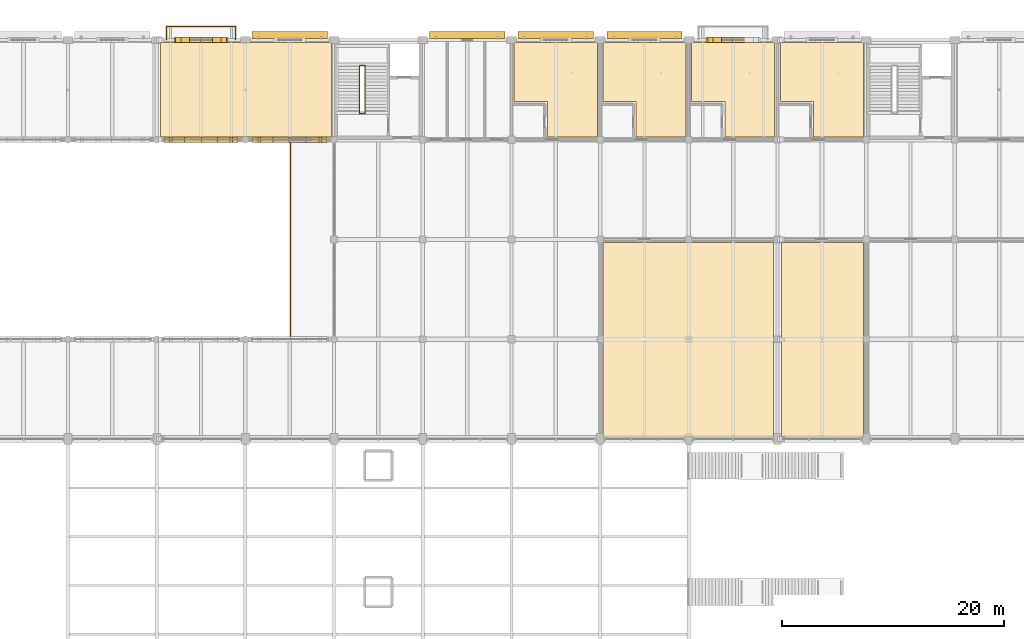
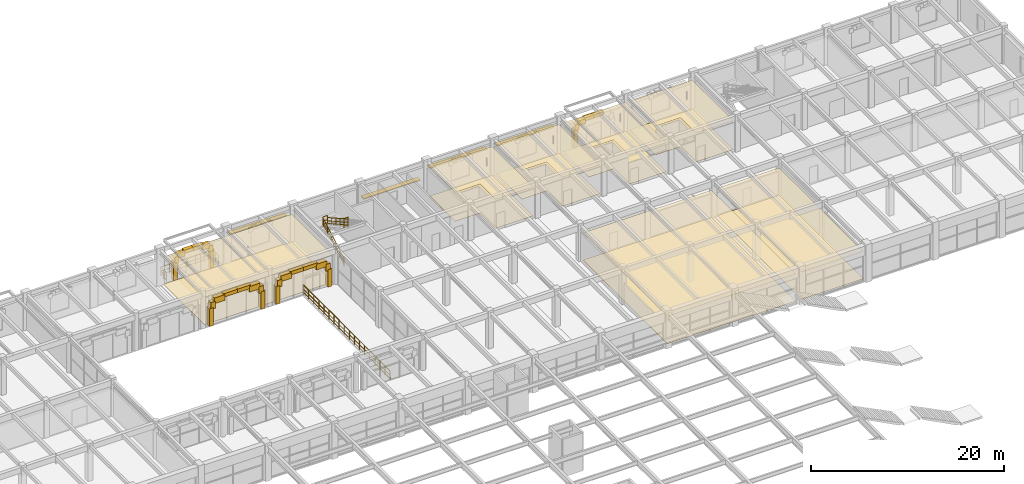
# One storey, part 140 of 144: 43 coverings, 6 railings, 4 shading devices.
"""IFC4 building model written with IfcOpenShell, lengths in metres."""

from ifc_helpers import new_model, si_unit, direction, frame, origin, origin_2d, place, context, subcontext, project, spatial, polyline, rectangle, circle, outline, extrude, material, layer, layer_set, type_object, element, save


model = new_model("IFC4")

# Units and contexts
model_context = context("Model", 3, precision=1e-05, world=origin(), true_north=direction((0.0, 1.0)))
body_context = subcontext(model_context, "Body", "Model", "MODEL_VIEW")
ifc_project = project(units=[si_unit("LENGTHUNIT", "METRE"), si_unit("AREAUNIT", "SQUARE_METRE"), si_unit("VOLUMEUNIT", "CUBIC_METRE"), si_unit("PLANEANGLEUNIT", "RADIAN"), si_unit("MASSUNIT", "GRAM", prefix="KILO")], contexts=[model_context])

# Site, building, storey
site_placement = place(None, origin())
site = spatial("IfcSite", under=ifc_project, at=site_placement, CompositionType="ELEMENT")
building_placement = place(site_placement, origin())
building = spatial("IfcBuilding", under=site, at=building_placement, Name="Varnabhumi Central Station", CompositionType="ELEMENT")
storey_placement = place(building_placement, frame((0.0, 0.0, 4.800048828125)))
storey = spatial("IfcBuildingStorey", under=building, at=storey_placement, Name="L01", CompositionType="ELEMENT", Elevation=4.800048828125)

# Coverings
ifc_material_1 = material(Name="Mineral-fibre acoustic tile")
ifc_layer_1 = layer(ifc_material_1, 0.02490234375, Name="Mineral-fibre acoustic tile")
ifc_layer_set_1 = layer_set([ifc_layer_1], Name="Mineral-fibre acoustic tile")
covering_type_1 = type_object("IfcCoveringType", Name="COV-CEIL-ACOUSTIC", PredefinedType="CEILING", material=ifc_layer_set_1)
covering_1_placement = place(storey_placement, frame((0.0, 0.0, 3.469970703125)))
element("IfcCovering", 1, at=covering_1_placement, inside=storey, type_object=covering_type_1, Name="Transit Reading and Quiet Lounge Acoustic Ceiling", PredefinedType="CEILING", context=body_context, shape_type="SweptSolid", body=[
    extrude(outline(polyline([(64.35009765625, 107.25), (79.75, 107.25), (79.75, 115.75), (64.35009765625, 115.75), (64.35009765625, 107.25)])), origin(), (0.0, 0.0, 1.0), 0.02490234375),
])
covering_2_placement = place(storey_placement, frame((0.0, 0.0, 3.669921875)))
element("IfcCovering", 2, at=covering_2_placement, inside=storey, type_object=covering_type_1, Name="Passenger Retiring Room 101 Acoustic Ceiling", PredefinedType="CEILING", context=body_context, shape_type="SweptSolid", body=[
    extrude(outline(polyline([(96.25, 110.449951171875), (99.25, 110.449951171875), (99.25, 107.25), (103.75, 107.25), (103.75, 115.75), (96.25, 115.75), (96.25, 110.449951171875)])), origin(), (0.0, 0.0, 1.0), 0.025146484375),
])
covering_3_placement = place(storey_placement, frame((0.0, 0.0, 3.669921875)))
element("IfcCovering", 3, at=covering_3_placement, inside=storey, type_object=covering_type_1, Name="Passenger Retiring Room 102 Acoustic Ceiling", PredefinedType="CEILING", context=body_context, shape_type="SweptSolid", body=[
    extrude(outline(polyline([(104.25, 110.449951171875), (107.25, 110.449951171875), (107.25, 107.25), (111.75, 107.25), (111.75, 115.75), (104.25, 115.75), (104.25, 110.449951171875)])), origin(), (0.0, 0.0, 1.0), 0.025146484375),
])
covering_4_placement = place(storey_placement, frame((0.0, 0.0, 3.669921875)))
element("IfcCovering", 4, at=covering_4_placement, inside=storey, type_object=covering_type_1, Name="Passenger Retiring Room 103 Acoustic Ceiling", PredefinedType="CEILING", context=body_context, shape_type="SweptSolid", body=[
    extrude(outline(polyline([(112.25, 110.449951171875), (115.25, 110.449951171875), (115.25, 107.25), (119.75, 107.25), (119.75, 115.75), (112.25, 115.75), (112.25, 110.449951171875)])), origin(), (0.0, 0.0, 1.0), 0.025146484375),
])
covering_5_placement = place(storey_placement, frame((0.0, 0.0, 3.669921875)))
element("IfcCovering", 5, at=covering_5_placement, inside=storey, type_object=covering_type_1, Name="Passenger Retiring Room 104 Acoustic Ceiling", PredefinedType="CEILING", context=body_context, shape_type="SweptSolid", body=[
    extrude(outline(polyline([(120.25, 110.449951171875), (123.25, 110.449951171875), (123.25, 107.25), (127.75, 107.25), (127.75, 115.75), (120.25, 115.75), (120.25, 110.449951171875)])), origin(), (0.0, 0.0, 1.0), 0.025146484375),
])
covering_6_placement = place(storey_placement, frame((0.0, 0.0, 3.469970703125)))
element("IfcCovering", 6, at=covering_6_placement, inside=storey, type_object=covering_type_1, Name="Ladies' Transit Dormitory Acoustic Ceiling", PredefinedType="CEILING", context=body_context, shape_type="SweptSolid", body=[
    extrude(outline(polyline([(104.25, 80.25), (119.64990234375, 80.25), (119.64990234375, 97.75), (104.25, 97.75), (104.25, 80.25)])), origin(), (0.0, 0.0, 1.0), 0.02490234375),
])
covering_7_placement = place(storey_placement, frame((0.0, 0.0, 3.469970703125)))
element("IfcCovering", 7, at=covering_7_placement, inside=storey, type_object=covering_type_1, Name="Ladies' Transit Dormitory Acoustic Ceiling", PredefinedType="CEILING", context=body_context, shape_type="SweptSolid", body=[
    extrude(outline(polyline([(120.35009765625, 80.25), (127.75, 80.25), (127.75, 97.75), (120.35009765625, 97.75), (120.35009765625, 80.25)])), origin(), (0.0, 0.0, 1.0), 0.02490234375),
])
ifc_material_2 = material(Name="Vitrified granite stone flooring", Category="masonry")
ifc_layer_2 = layer(ifc_material_2, 0.030029296875, Name="Vitrified granite stone flooring", Category="masonry")
ifc_layer_set_2 = layer_set([ifc_layer_2], Name="Vitrified granite stone flooring")
covering_type_2 = type_object("IfcCoveringType", Name="COV-FLOR-GRANITE", PredefinedType="FLOORING", material=ifc_layer_set_2)
covering_8_placement = place(storey_placement, origin())
element("IfcCovering", 8, at=covering_8_placement, inside=storey, type_object=covering_type_2, Name="Transit Reading and Quiet Lounge Granite Flooring", PredefinedType="FLOORING", context=body_context, shape_type="SweptSolid", body=[
    extrude(outline(polyline([(64.35009765625, 107.25), (79.75, 107.25), (79.75, 115.75), (64.35009765625, 115.75), (64.35009765625, 107.25)])), origin(), (0.0, 0.0, 1.0), 0.030029296875),
])
covering_9_placement = place(storey_placement, origin())
element("IfcCovering", 9, at=covering_9_placement, inside=storey, type_object=covering_type_2, Name="Passenger Retiring Room 101 Granite Flooring", PredefinedType="FLOORING", context=body_context, shape_type="SweptSolid", body=[
    extrude(outline(polyline([(96.25, 110.449951171875), (99.25, 110.449951171875), (99.25, 107.25), (103.75, 107.25), (103.75, 115.75), (96.25, 115.75), (96.25, 110.449951171875)])), origin(), (0.0, 0.0, 1.0), 0.030029296875),
])
covering_10_placement = place(storey_placement, origin())
element("IfcCovering", 10, at=covering_10_placement, inside=storey, type_object=covering_type_2, Name="Passenger Retiring Room 102 Granite Flooring", PredefinedType="FLOORING", context=body_context, shape_type="SweptSolid", body=[
    extrude(outline(polyline([(104.25, 110.449951171875), (107.25, 110.449951171875), (107.25, 107.25), (111.75, 107.25), (111.75, 115.75), (104.25, 115.75), (104.25, 110.449951171875)])), origin(), (0.0, 0.0, 1.0), 0.030029296875),
])
covering_11_placement = place(storey_placement, origin())
element("IfcCovering", 11, at=covering_11_placement, inside=storey, type_object=covering_type_2, Name="Passenger Retiring Room 103 Granite Flooring", PredefinedType="FLOORING", context=body_context, shape_type="SweptSolid", body=[
    extrude(outline(polyline([(112.25, 110.449951171875), (115.25, 110.449951171875), (115.25, 107.25), (119.75, 107.25), (119.75, 115.75), (112.25, 115.75), (112.25, 110.449951171875)])), origin(), (0.0, 0.0, 1.0), 0.030029296875),
])
covering_12_placement = place(storey_placement, origin())
element("IfcCovering", 12, at=covering_12_placement, inside=storey, type_object=covering_type_2, Name="Passenger Retiring Room 104 Granite Flooring", PredefinedType="FLOORING", context=body_context, shape_type="SweptSolid", body=[
    extrude(outline(polyline([(120.25, 110.449951171875), (123.25, 110.449951171875), (123.25, 107.25), (127.75, 107.25), (127.75, 115.75), (120.25, 115.75), (120.25, 110.449951171875)])), origin(), (0.0, 0.0, 1.0), 0.030029296875),
])
covering_13_placement = place(storey_placement, origin())
element("IfcCovering", 13, at=covering_13_placement, inside=storey, type_object=covering_type_2, Name="Ladies' Transit Dormitory Granite Flooring", PredefinedType="FLOORING", context=body_context, shape_type="SweptSolid", body=[
    extrude(outline(polyline([(104.25, 80.25), (119.64990234375, 80.25), (119.64990234375, 97.75), (104.25, 97.75), (104.25, 80.25)])), origin(), (0.0, 0.0, 1.0), 0.030029296875),
])
covering_14_placement = place(storey_placement, origin())
element("IfcCovering", 14, at=covering_14_placement, inside=storey, type_object=covering_type_2, Name="Ladies' Transit Dormitory Granite Flooring", PredefinedType="FLOORING", context=body_context, shape_type="SweptSolid", body=[
    extrude(outline(polyline([(120.35009765625, 80.25), (127.75, 80.25), (127.75, 97.75), (120.35009765625, 97.75), (120.35009765625, 80.25)])), origin(), (0.0, 0.0, 1.0), 0.030029296875),
])
ifc_material_3 = material(Name="Terracotta clay Mission barrel tile", Category="masonry")
ifc_layer_3 = layer(ifc_material_3, 0.02001953125, Name="Terracotta clay Mission barrel tile", Category="masonry")
ifc_layer_set_3 = layer_set([ifc_layer_3], Name="Terracotta clay Mission barrel tile")
covering_type_3 = type_object("IfcCoveringType", Name="COV-WALL-FAIENCE", PredefinedType="CLADDING", material=ifc_layer_set_3)
covering_15_placement = place(storey_placement, frame((65.947509765625, 116.0, 2.159912109375), z_axis=(0.0, 0.0, 1.0), x_axis=(1.0, 0.0, 0.0)))
element("IfcCovering", 15, at=covering_15_placement, inside=storey, type_object=covering_type_3, Name="Balcony Arch Portal L01-9 Stone Voussoir 1", PredefinedType="CLADDING", context=body_context, shape_type="SweptSolid", body=[
    extrude(rectangle(XDim=0.469970703125, YDim=0.47998046875, at=origin_2d()), origin(), (0.0, 0.0, 1.0), 0.7548828125),
])
covering_16_placement = place(storey_placement, frame((66.49755859375, 116.0, 2.635009765625), z_axis=(0.0, 0.0, 1.0), x_axis=(1.0, 0.0, 0.0)))
element("IfcCovering", 16, at=covering_16_placement, inside=storey, type_object=covering_type_3, Name="Balcony Arch Portal L01-9 Stone Voussoir 2", PredefinedType="CLADDING", context=body_context, shape_type="SweptSolid", body=[
    extrude(rectangle(XDim=0.925048828125, YDim=0.47998046875, at=origin_2d()), origin(), (0.0, 0.0, 1.0), 0.6279296875),
])
for number, where, z_axis, x_axis, name in (
    (17, (67.449951171875, 116.0, 2.98291015625), (0.0, 0.0, 1.0), (1.0, 0.0, 0.0), "Balcony Arch Portal L01-9 Stone Voussoir 3"),
    (18, (68.550048828125, 116.0, 2.98291015625), (0.0, 0.0, 1.0), (1.0, 0.0, 0.0), "Balcony Arch Portal L01-9 Stone Voussoir 4"),
):
    element("IfcCovering", number, at=place(storey_placement, frame(where, z_axis=z_axis, x_axis=x_axis)), inside=storey, type_object=covering_type_3, Name=name, PredefinedType="CLADDING", context=body_context, shape_type="SweptSolid", body=[
        extrude(rectangle(XDim=1.219970703125, YDim=0.47998046875, at=origin_2d()), origin(), (0.0, 0.0, 1.0), 0.406982421875),
    ])
covering_17_placement = place(storey_placement, frame((69.50244140625, 116.0, 2.635009765625), z_axis=(0.0, 0.0, 1.0), x_axis=(1.0, 0.0, 0.0)))
element("IfcCovering", 19, at=covering_17_placement, inside=storey, type_object=covering_type_3, Name="Balcony Arch Portal L01-9 Stone Voussoir 5", PredefinedType="CLADDING", context=body_context, shape_type="SweptSolid", body=[
    extrude(rectangle(XDim=0.925048828125, YDim=0.47998046875, at=origin_2d()), origin(), (0.0, 0.0, 1.0), 0.6279296875),
])
covering_18_placement = place(storey_placement, frame((70.052490234375, 116.0, 2.159912109375), z_axis=(0.0, 0.0, 1.0), x_axis=(1.0, 0.0, 0.0)))
element("IfcCovering", 20, at=covering_18_placement, inside=storey, type_object=covering_type_3, Name="Balcony Arch Portal L01-9 Stone Voussoir 6", PredefinedType="CLADDING", context=body_context, shape_type="SweptSolid", body=[
    extrude(rectangle(XDim=0.469970703125, YDim=0.47998046875, at=origin_2d()), origin(), (0.0, 0.0, 1.0), 0.7548828125),
])
for number, where, z_axis, x_axis, name in (
    (21, (65.800048828125, 116.0, -0.02001953125), (0.0, 0.0, 1.0), (1.0, 0.0, 0.0), "Balcony Arch Portal L01-9 Classical Pilaster 1"),
    (22, (70.199951171875, 116.0, -0.02001953125), (0.0, 0.0, 1.0), (1.0, 0.0, 0.0), "Balcony Arch Portal L01-9 Classical Pilaster 2"),
):
    element("IfcCovering", number, at=place(storey_placement, frame(where, z_axis=z_axis, x_axis=x_axis)), inside=storey, type_object=covering_type_3, Name=name, PredefinedType="CLADDING", context=body_context, shape_type="SweptSolid", body=[
        extrude(rectangle(XDim=0.47998046875, YDim=0.47998046875, at=origin_2d()), origin(), (0.0, 0.0, 1.0), 2.340087890625),
    ])
covering_19_placement = place(storey_placement, frame((113.947509765625, 116.0, 2.159912109375), z_axis=(0.0, 0.0, 1.0), x_axis=(1.0, 0.0, 0.0)))
element("IfcCovering", 23, at=covering_19_placement, inside=storey, type_object=covering_type_3, Name="Balcony Arch Portal L01-15 Stone Voussoir 1", PredefinedType="CLADDING", context=body_context, shape_type="SweptSolid", body=[
    extrude(rectangle(XDim=0.469970703125, YDim=0.47998046875, at=origin_2d()), origin(), (0.0, 0.0, 1.0), 0.7548828125),
])
covering_20_placement = place(storey_placement, frame((114.49755859375, 116.0, 2.635009765625), z_axis=(0.0, 0.0, 1.0), x_axis=(1.0, 0.0, 0.0)))
element("IfcCovering", 24, at=covering_20_placement, inside=storey, type_object=covering_type_3, Name="Balcony Arch Portal L01-15 Stone Voussoir 2", PredefinedType="CLADDING", context=body_context, shape_type="SweptSolid", body=[
    extrude(rectangle(XDim=0.925048828125, YDim=0.47998046875, at=origin_2d()), origin(), (0.0, 0.0, 1.0), 0.6279296875),
])
for number, where, z_axis, x_axis, name in (
    (25, (115.449951171875, 116.0, 2.98291015625), (0.0, 0.0, 1.0), (1.0, 0.0, 0.0), "Balcony Arch Portal L01-15 Stone Voussoir 3"),
    (26, (116.550048828125, 116.0, 2.98291015625), (0.0, 0.0, 1.0), (1.0, 0.0, 0.0), "Balcony Arch Portal L01-15 Stone Voussoir 4"),
):
    element("IfcCovering", number, at=place(storey_placement, frame(where, z_axis=z_axis, x_axis=x_axis)), inside=storey, type_object=covering_type_3, Name=name, PredefinedType="CLADDING", context=body_context, shape_type="SweptSolid", body=[
        extrude(rectangle(XDim=1.219970703125, YDim=0.47998046875, at=origin_2d()), origin(), (0.0, 0.0, 1.0), 0.406982421875),
    ])
covering_21_placement = place(storey_placement, frame((113.800048828125, 116.0, -0.02001953125), z_axis=(0.0, 0.0, 1.0), x_axis=(1.0, 0.0, 0.0)))
element("IfcCovering", 27, at=covering_21_placement, inside=storey, type_object=covering_type_3, Name="Balcony Arch Portal L01-15 Classical Pilaster 1", PredefinedType="CLADDING", context=body_context, shape_type="SweptSolid", body=[
    extrude(rectangle(XDim=0.47998046875, YDim=0.47998046875, at=origin_2d()), origin(), (0.0, 0.0, 1.0), 2.340087890625),
])
covering_22_placement = place(storey_placement, frame((65.107421875, 107.0, 2.06005859375), z_axis=(0.0, 0.0, 1.0), x_axis=(1.0, 0.0, 0.0)))
element("IfcCovering", 28, at=covering_22_placement, inside=storey, type_object=covering_type_3, Name="North Patio Cloister Arch L01-N3 Stone Voussoir 1", PredefinedType="CLADDING", context=body_context, shape_type="SweptSolid", body=[
    extrude(rectangle(XDim=0.534912109375, YDim=0.47998046875, at=origin_2d()), origin(), (0.0, 0.0, 1.0), 0.8798828125),
])
covering_23_placement = place(storey_placement, frame((65.882568359375, 107.0, 2.66015625), z_axis=(0.0, 0.0, 1.0), x_axis=(1.0, 0.0, 0.0)))
element("IfcCovering", 29, at=covering_23_placement, inside=storey, type_object=covering_type_3, Name="North Patio Cloister Arch L01-N3 Stone Voussoir 2", PredefinedType="CLADDING", context=body_context, shape_type="SweptSolid", body=[
    extrude(rectangle(XDim=1.2548828125, YDim=0.47998046875, at=origin_2d()), origin(), (0.0, 0.0, 1.0), 0.718994140625),
])
for number, where, z_axis, x_axis, name in (
    (30, (67.22509765625, 107.0, 3.098876953125), (0.0, 0.0, 1.0), (1.0, 0.0, 0.0), "North Patio Cloister Arch L01-N3 Stone Voussoir 3"),
    (31, (68.77490234375, 107.0, 3.098876953125), (0.0, 0.0, 1.0), (1.0, 0.0, 0.0), "North Patio Cloister Arch L01-N3 Stone Voussoir 4"),
):
    element("IfcCovering", number, at=place(storey_placement, frame(where, z_axis=z_axis, x_axis=x_axis)), inside=storey, type_object=covering_type_3, Name=name, PredefinedType="CLADDING", context=body_context, shape_type="SweptSolid", body=[
        extrude(rectangle(XDim=1.669921875, YDim=0.47998046875, at=origin_2d()), origin(), (0.0, 0.0, 1.0), 0.44091796875),
    ])
covering_24_placement = place(storey_placement, frame((70.117431640625, 107.0, 2.66015625), z_axis=(0.0, 0.0, 1.0), x_axis=(1.0, 0.0, 0.0)))
element("IfcCovering", 32, at=covering_24_placement, inside=storey, type_object=covering_type_3, Name="North Patio Cloister Arch L01-N3 Stone Voussoir 5", PredefinedType="CLADDING", context=body_context, shape_type="SweptSolid", body=[
    extrude(rectangle(XDim=1.2548828125, YDim=0.47998046875, at=origin_2d()), origin(), (0.0, 0.0, 1.0), 0.718994140625),
])
covering_25_placement = place(storey_placement, frame((70.892578125, 107.0, 2.06005859375), z_axis=(0.0, 0.0, 1.0), x_axis=(1.0, 0.0, 0.0)))
element("IfcCovering", 33, at=covering_25_placement, inside=storey, type_object=covering_type_3, Name="North Patio Cloister Arch L01-N3 Stone Voussoir 6", PredefinedType="CLADDING", context=body_context, shape_type="SweptSolid", body=[
    extrude(rectangle(XDim=0.534912109375, YDim=0.47998046875, at=origin_2d()), origin(), (0.0, 0.0, 1.0), 0.8798828125),
])
for number, where, z_axis, x_axis, name in (
    (34, (64.89990234375, 107.0, -0.02001953125), (0.0, 0.0, 1.0), (1.0, 0.0, 0.0), "North Patio Cloister Arch L01-N3 Classical Pilaster 1"),
    (35, (71.10009765625, 107.0, -0.02001953125), (0.0, 0.0, 1.0), (1.0, 0.0, 0.0), "North Patio Cloister Arch L01-N3 Classical Pilaster 2"),
):
    element("IfcCovering", number, at=place(storey_placement, frame(where, z_axis=z_axis, x_axis=x_axis)), inside=storey, type_object=covering_type_3, Name=name, PredefinedType="CLADDING", context=body_context, shape_type="SweptSolid", body=[
        extrude(rectangle(XDim=0.47998046875, YDim=0.47998046875, at=origin_2d()), origin(), (0.0, 0.0, 1.0), 2.239990234375),
    ])
covering_26_placement = place(storey_placement, frame((73.107421875, 107.0, 2.06005859375), z_axis=(0.0, 0.0, 1.0), x_axis=(1.0, 0.0, 0.0)))
element("IfcCovering", 36, at=covering_26_placement, inside=storey, type_object=covering_type_3, Name="North Patio Cloister Arch L01-N4 Stone Voussoir 1", PredefinedType="CLADDING", context=body_context, shape_type="SweptSolid", body=[
    extrude(rectangle(XDim=0.534912109375, YDim=0.47998046875, at=origin_2d()), origin(), (0.0, 0.0, 1.0), 0.8798828125),
])
covering_27_placement = place(storey_placement, frame((73.882568359375, 107.0, 2.66015625), z_axis=(0.0, 0.0, 1.0), x_axis=(1.0, 0.0, 0.0)))
element("IfcCovering", 37, at=covering_27_placement, inside=storey, type_object=covering_type_3, Name="North Patio Cloister Arch L01-N4 Stone Voussoir 2", PredefinedType="CLADDING", context=body_context, shape_type="SweptSolid", body=[
    extrude(rectangle(XDim=1.2548828125, YDim=0.47998046875, at=origin_2d()), origin(), (0.0, 0.0, 1.0), 0.718994140625),
])
for number, where, z_axis, x_axis, name in (
    (38, (75.22509765625, 107.0, 3.098876953125), (0.0, 0.0, 1.0), (1.0, 0.0, 0.0), "North Patio Cloister Arch L01-N4 Stone Voussoir 3"),
    (39, (76.77490234375, 107.0, 3.098876953125), (0.0, 0.0, 1.0), (1.0, 0.0, 0.0), "North Patio Cloister Arch L01-N4 Stone Voussoir 4"),
):
    element("IfcCovering", number, at=place(storey_placement, frame(where, z_axis=z_axis, x_axis=x_axis)), inside=storey, type_object=covering_type_3, Name=name, PredefinedType="CLADDING", context=body_context, shape_type="SweptSolid", body=[
        extrude(rectangle(XDim=1.669921875, YDim=0.47998046875, at=origin_2d()), origin(), (0.0, 0.0, 1.0), 0.44091796875),
    ])
covering_28_placement = place(storey_placement, frame((78.117431640625, 107.0, 2.66015625), z_axis=(0.0, 0.0, 1.0), x_axis=(1.0, 0.0, 0.0)))
element("IfcCovering", 40, at=covering_28_placement, inside=storey, type_object=covering_type_3, Name="North Patio Cloister Arch L01-N4 Stone Voussoir 5", PredefinedType="CLADDING", context=body_context, shape_type="SweptSolid", body=[
    extrude(rectangle(XDim=1.2548828125, YDim=0.47998046875, at=origin_2d()), origin(), (0.0, 0.0, 1.0), 0.718994140625),
])
covering_29_placement = place(storey_placement, frame((78.892578125, 107.0, 2.06005859375), z_axis=(0.0, 0.0, 1.0), x_axis=(1.0, 0.0, 0.0)))
element("IfcCovering", 41, at=covering_29_placement, inside=storey, type_object=covering_type_3, Name="North Patio Cloister Arch L01-N4 Stone Voussoir 6", PredefinedType="CLADDING", context=body_context, shape_type="SweptSolid", body=[
    extrude(rectangle(XDim=0.534912109375, YDim=0.47998046875, at=origin_2d()), origin(), (0.0, 0.0, 1.0), 0.8798828125),
])
for number, where, z_axis, x_axis, name in (
    (42, (72.89990234375, 107.0, -0.02001953125), (0.0, 0.0, 1.0), (1.0, 0.0, 0.0), "North Patio Cloister Arch L01-N4 Classical Pilaster 1"),
    (43, (79.10009765625, 107.0, -0.02001953125), (0.0, 0.0, 1.0), (1.0, 0.0, 0.0), "North Patio Cloister Arch L01-N4 Classical Pilaster 2"),
):
    element("IfcCovering", number, at=place(storey_placement, frame(where, z_axis=z_axis, x_axis=x_axis)), inside=storey, type_object=covering_type_3, Name=name, PredefinedType="CLADDING", context=body_context, shape_type="SweptSolid", body=[
        extrude(rectangle(XDim=0.47998046875, YDim=0.47998046875, at=origin_2d()), origin(), (0.0, 0.0, 1.0), 2.239990234375),
    ])

# Railings
ifc_material_4 = material(Name="Stainless steel Grade 316", Category="steel")
railing_type_1 = type_object("IfcRailingType", Name="RAIL-BALUST-1150", PredefinedType="BALUSTRADE", material=ifc_material_4)
railing_1_placement = place(storey_placement, frame((64.8798828125, 116.050048828125, 0.0)))
element("IfcRailing", 44, at=railing_1_placement, inside=storey, type_object=railing_type_1, Name="Azotea Perimeter Balustrade L01-7", PredefinedType="BALUSTRADE", context=body_context, shape_type="SweptSolid", body=[
    extrude(circle(Radius=0.02392578125, at=origin_2d()), frame((0.0, 0.0, 1.1259765625), z_axis=(0.0, 1.0, 0.0), x_axis=(-1.0, 0.0, 0.0)), (0.0, 0.0, 1.0), 1.169921875),
    extrude(circle(Radius=0.01416015625, at=origin_2d()), frame((0.0, 0.0, 0.597900390625), z_axis=(0.0, 1.0, 0.0), x_axis=(-1.0, 0.0, 0.0)), (0.0, 0.0, 1.0), 1.169921875),
    extrude(circle(Radius=0.01416015625, at=origin_2d()), frame((0.0, 0.0, 0.18408203125), z_axis=(0.0, 1.0, 0.0), x_axis=(-1.0, 0.0, 0.0)), (0.0, 0.0, 1.0), 1.169921875),
    extrude(circle(Radius=0.02392578125, at=origin_2d()), frame((0.0, 1.169921875, 1.1259765625), z_axis=(1.0, 0.0, 0.0), x_axis=(0.0, 1.0, 0.0)), (0.0, 0.0, 1.0), 6.240234375),
    extrude(circle(Radius=0.01416015625, at=origin_2d()), frame((0.0, 1.169921875, 0.597900390625), z_axis=(1.0, 0.0, 0.0), x_axis=(0.0, 1.0, 0.0)), (0.0, 0.0, 1.0), 6.240234375),
    extrude(circle(Radius=0.01416015625, at=origin_2d()), frame((0.0, 1.169921875, 0.18408203125), z_axis=(1.0, 0.0, 0.0), x_axis=(0.0, 1.0, 0.0)), (0.0, 0.0, 1.0), 6.240234375),
    extrude(circle(Radius=0.02392578125, at=origin_2d()), frame((6.240234375, 1.169921875, 1.1259765625), z_axis=(0.0, -1.0, 0.0), x_axis=(1.0, 0.0, 0.0)), (0.0, 0.0, 1.0), 1.169921875),
    extrude(circle(Radius=0.01416015625, at=origin_2d()), frame((6.240234375, 1.169921875, 0.597900390625), z_axis=(0.0, -1.0, 0.0), x_axis=(1.0, 0.0, 0.0)), (0.0, 0.0, 1.0), 1.169921875),
    extrude(circle(Radius=0.01416015625, at=origin_2d()), frame((6.240234375, 1.169921875, 0.18408203125), z_axis=(0.0, -1.0, 0.0), x_axis=(1.0, 0.0, 0.0)), (0.0, 0.0, 1.0), 1.169921875),
    extrude(circle(Radius=0.02099609375, at=origin_2d()), origin(), (0.0, 0.0, 1.0), 1.101806640625),
    extrude(circle(Radius=0.02099609375, at=origin_2d()), frame((0.0, 0.5849609375, 0.0)), (0.0, 0.0, 1.0), 1.101806640625),
    extrude(circle(Radius=0.02099609375, at=origin_2d()), frame((0.0, 1.169921875, 0.0)), (0.0, 0.0, 1.0), 1.101806640625),
    extrude(circle(Radius=0.02099609375, at=origin_2d()), frame((1.0400390625, 1.169921875, 0.0)), (0.0, 0.0, 1.0), 1.101806640625),
    extrude(circle(Radius=0.02099609375, at=origin_2d()), frame((2.080078125, 1.169921875, 0.0)), (0.0, 0.0, 1.0), 1.101806640625),
    extrude(circle(Radius=0.02099609375, at=origin_2d()), frame((3.1201171875, 1.169921875, 0.0)), (0.0, 0.0, 1.0), 1.101806640625),
    extrude(circle(Radius=0.02099609375, at=origin_2d()), frame((4.16015625, 1.169921875, 0.0)), (0.0, 0.0, 1.0), 1.101806640625),
    extrude(circle(Radius=0.02099609375, at=origin_2d()), frame((5.2001953125, 1.169921875, 0.0)), (0.0, 0.0, 1.0), 1.101806640625),
    extrude(circle(Radius=0.02099609375, at=origin_2d()), frame((6.240234375, 1.169921875, 0.0)), (0.0, 0.0, 1.0), 1.101806640625),
    extrude(circle(Radius=0.02099609375, at=origin_2d()), frame((6.240234375, 0.5849609375, 0.0)), (0.0, 0.0, 1.0), 1.101806640625),
    extrude(circle(Radius=0.02099609375, at=origin_2d()), frame((6.240234375, 0.0, 0.0)), (0.0, 0.0, 1.0), 1.101806640625),
])
railing_2_placement = place(storey_placement, frame((76.080078125, 89.02001953125, 0.0)))
element("IfcRailing", 45, at=railing_2_placement, inside=storey, type_object=railing_type_1, Name="North Patio Courtyard Balustrade L01", PredefinedType="BALUSTRADE", context=body_context, shape_type="SweptSolid", body=[
    extrude(circle(Radius=0.02392578125, at=origin_2d()), frame((0.0, 0.0, 1.1259765625), z_axis=(0.0, 1.0, 0.0), x_axis=(-1.0, 0.0, 0.0)), (0.0, 0.0, 1.0), 17.9599609375),
    extrude(circle(Radius=0.01416015625, at=origin_2d()), frame((0.0, 0.0, 0.597900390625), z_axis=(0.0, 1.0, 0.0), x_axis=(-1.0, 0.0, 0.0)), (0.0, 0.0, 1.0), 17.9599609375),
    extrude(circle(Radius=0.01416015625, at=origin_2d()), frame((0.0, 0.0, 0.18408203125), z_axis=(0.0, 1.0, 0.0), x_axis=(-1.0, 0.0, 0.0)), (0.0, 0.0, 1.0), 17.9599609375),
    extrude(circle(Radius=0.02099609375, at=origin_2d()), origin(), (0.0, 0.0, 1.0), 1.101806640625),
    extrude(circle(Radius=0.02099609375, at=origin_2d()), frame((0.0, 1.056396484375, 0.0)), (0.0, 0.0, 1.0), 1.101806640625),
    extrude(circle(Radius=0.02099609375, at=origin_2d()), frame((0.0, 2.113037109375, 0.0)), (0.0, 0.0, 1.0), 1.101806640625),
    extrude(circle(Radius=0.02099609375, at=origin_2d()), frame((0.0, 3.16943359375, 0.0)), (0.0, 0.0, 1.0), 1.101806640625),
    extrude(circle(Radius=0.02099609375, at=origin_2d()), frame((0.0, 4.225830078125, 0.0)), (0.0, 0.0, 1.0), 1.101806640625),
    extrude(circle(Radius=0.02099609375, at=origin_2d()), frame((0.0, 5.2822265625, 0.0)), (0.0, 0.0, 1.0), 1.101806640625),
    extrude(circle(Radius=0.02099609375, at=origin_2d()), frame((0.0, 6.3388671875, 0.0)), (0.0, 0.0, 1.0), 1.101806640625),
    extrude(circle(Radius=0.02099609375, at=origin_2d()), frame((0.0, 7.395263671875, 0.0)), (0.0, 0.0, 1.0), 1.101806640625),
    extrude(circle(Radius=0.02099609375, at=origin_2d()), frame((0.0, 8.45166015625, 0.0)), (0.0, 0.0, 1.0), 1.101806640625),
    extrude(circle(Radius=0.02099609375, at=origin_2d()), frame((0.0, 9.50830078125, 0.0)), (0.0, 0.0, 1.0), 1.101806640625),
    extrude(circle(Radius=0.02099609375, at=origin_2d()), frame((0.0, 10.564697265625, 0.0)), (0.0, 0.0, 1.0), 1.101806640625),
    extrude(circle(Radius=0.02099609375, at=origin_2d()), frame((0.0, 11.62109375, 0.0)), (0.0, 0.0, 1.0), 1.101806640625),
    extrude(circle(Radius=0.02099609375, at=origin_2d()), frame((0.0, 12.677734375, 0.0)), (0.0, 0.0, 1.0), 1.101806640625),
    extrude(circle(Radius=0.02099609375, at=origin_2d()), frame((0.0, 13.734130859375, 0.0)), (0.0, 0.0, 1.0), 1.101806640625),
    extrude(circle(Radius=0.02099609375, at=origin_2d()), frame((0.0, 14.79052734375, 0.0)), (0.0, 0.0, 1.0), 1.101806640625),
    extrude(circle(Radius=0.02099609375, at=origin_2d()), frame((0.0, 15.846923828125, 0.0)), (0.0, 0.0, 1.0), 1.101806640625),
    extrude(circle(Radius=0.02099609375, at=origin_2d()), frame((0.0, 16.903564453125, 0.0)), (0.0, 0.0, 1.0), 1.101806640625),
    extrude(circle(Radius=0.02099609375, at=origin_2d()), frame((0.0, 17.9599609375, 0.0)), (0.0, 0.0, 1.0), 1.101806640625),
])
railing_type_2 = type_object("IfcRailingType", Name="RAIL-STAIR-GRD-1150", PredefinedType="GUARDRAIL", material=ifc_material_4)
for number, where, name in (
    (46, (82.300048828125, 113.675048828125, 2.39990234375), "ST-N2 L01 Half-Landing Well Guard"),
    (47, (82.300048828125, 109.360107421875, 4.800048828125), "ST-N2 L01 Arrival Slot Guard"),
):
    element("IfcRailing", number, at=place(storey_placement, frame(where)), inside=storey, type_object=railing_type_2, Name=name, PredefinedType="GUARDRAIL", context=body_context, shape_type="SweptSolid", body=[
        extrude(circle(Radius=0.02392578125, at=origin_2d()), frame((0.0, 0.0, 1.1259765625), z_axis=(1.0, 0.0, 0.0), x_axis=(0.0, 1.0, 0.0)), (0.0, 0.0, 1.0), 0.5),
        extrude(circle(Radius=0.01416015625, at=origin_2d()), frame((0.0, 0.0, 0.597900390625), z_axis=(1.0, 0.0, 0.0), x_axis=(0.0, 1.0, 0.0)), (0.0, 0.0, 1.0), 0.5),
        extrude(circle(Radius=0.01416015625, at=origin_2d()), frame((0.0, 0.0, 0.18408203125), z_axis=(1.0, 0.0, 0.0), x_axis=(0.0, 1.0, 0.0)), (0.0, 0.0, 1.0), 0.5),
        extrude(circle(Radius=0.02099609375, at=origin_2d()), origin(), (0.0, 0.0, 1.0), 1.101806640625),
        extrude(circle(Radius=0.02099609375, at=origin_2d()), frame((0.5, 0.0, 0.0)), (0.0, 0.0, 1.0), 1.101806640625),
    ])
railing_type_3 = type_object("IfcRailingType", Name="RAIL-STAIR-HR-920", PredefinedType="HANDRAIL", material=ifc_material_4)
railing_3_placement = place(storey_placement, frame((82.300048828125, 109.340087890625, 0.0)))
element("IfcRailing", 48, at=railing_3_placement, inside=storey, type_object=railing_type_3, Name="ST-N2 L01 Flight 1 Handrail", PredefinedType="HANDRAIL", context=body_context, shape_type="SweptSolid", body=[
    extrude(circle(Radius=0.02392578125, at=origin_2d()), frame((0.0, 0.0, 0.89599609375), z_axis=(0.0, 0.871987514779, 0.489528113665), x_axis=(-1.0, 0.0, 0.0)), (0.0, 0.0, 1.0), 4.902587890625),
    extrude(circle(Radius=0.01416015625, at=origin_2d()), frame((0.0, 0.0, 0.478271484375), z_axis=(0.0, 0.871987514779, 0.489528113665), x_axis=(-1.0, 0.0, 0.0)), (0.0, 0.0, 1.0), 4.902587890625),
    extrude(circle(Radius=0.01416015625, at=origin_2d()), frame((0.0, 0.0, 0.147216796875), z_axis=(0.0, 0.871987514779, 0.489528113665), x_axis=(-1.0, 0.0, 0.0)), (0.0, 0.0, 1.0), 4.902587890625),
    extrude(circle(Radius=0.02099609375, at=origin_2d()), origin(), (0.0, 0.0, 1.0), 0.871826171875),
    extrude(circle(Radius=0.02099609375, at=origin_2d()), frame((0.0, 0.85498046875, 0.47998046875)), (0.0, 0.0, 1.0), 0.871826171875),
    extrude(circle(Radius=0.02099609375, at=origin_2d()), frame((0.0, 1.7099609375, 0.9599609375)), (0.0, 0.0, 1.0), 0.871826171875),
    extrude(circle(Radius=0.02099609375, at=origin_2d()), frame((0.0, 2.56494140625, 1.43994140625)), (0.0, 0.0, 1.0), 0.871826171875),
    extrude(circle(Radius=0.02099609375, at=origin_2d()), frame((0.0, 3.419921875, 1.919921875)), (0.0, 0.0, 1.0), 0.871826171875),
    extrude(circle(Radius=0.02099609375, at=origin_2d()), frame((0.0, 4.27490234375, 2.39990234375)), (0.0, 0.0, 1.0), 0.871826171875),
])
railing_4_placement = place(storey_placement, frame((82.800048828125, 113.614990234375, 2.39990234375)))
element("IfcRailing", 49, at=railing_4_placement, inside=storey, type_object=railing_type_3, Name="ST-N2 L01 Flight 2 Handrail", PredefinedType="HANDRAIL", context=body_context, shape_type="SweptSolid", body=[
    extrude(circle(Radius=0.02392578125, at=origin_2d()), frame((0.0, 0.0, 0.89599609375), z_axis=(0.0, -0.871966256983, 0.489565977864), x_axis=(1.0, 0.0, 0.0)), (0.0, 0.0, 1.0), 4.902587890625),
    extrude(circle(Radius=0.01416015625, at=origin_2d()), frame((0.0, 0.0, 0.478271484375), z_axis=(0.0, -0.871966256983, 0.489565977864), x_axis=(1.0, 0.0, 0.0)), (0.0, 0.0, 1.0), 4.902587890625),
    extrude(circle(Radius=0.01416015625, at=origin_2d()), frame((0.0, 0.0, 0.147216796875), z_axis=(0.0, -0.871966256983, 0.489565977864), x_axis=(1.0, 0.0, 0.0)), (0.0, 0.0, 1.0), 4.902587890625),
    extrude(circle(Radius=0.02099609375, at=origin_2d()), origin(), (0.0, 0.0, 1.0), 0.871826171875),
    extrude(circle(Radius=0.02099609375, at=origin_2d()), frame((0.0, -0.85498046875, 0.47998046875)), (0.0, 0.0, 1.0), 0.871826171875),
    extrude(circle(Radius=0.02099609375, at=origin_2d()), frame((0.0, -1.7099609375, 0.9599609375)), (0.0, 0.0, 1.0), 0.871826171875),
    extrude(circle(Radius=0.02099609375, at=origin_2d()), frame((0.0, -2.56494140625, 1.440185546875)), (0.0, 0.0, 1.0), 0.871826171875),
    extrude(circle(Radius=0.02099609375, at=origin_2d()), frame((0.0, -3.419921875, 1.920166015625)), (0.0, 0.0, 1.0), 0.871826171875),
    extrude(circle(Radius=0.02099609375, at=origin_2d()), frame((0.0, -4.27490234375, 2.400146484375)), (0.0, 0.0, 1.0), 0.871826171875),
])

# Shading devices
ifc_material_5 = material(Name="Precast concrete M45", Category="concrete")
ifc_layer_4 = layer(ifc_material_5, 0.10009765625, Name="Precast concrete M45", Category="concrete")
ifc_layer_set_4 = layer_set([ifc_layer_4], Name="Precast concrete M45")
shading_device_type = type_object("IfcShadingDeviceType", Name="SHD-CHAJJA-600", PredefinedType="AWNING", material=ifc_layer_set_4)
for number, where, z_axis, x_axis, name in (
    (50, (76.0, 116.449951171875, 3.1298828125), (0.0, 0.0, 1.0), (1.0, 0.0, 0.0), "Chajja Overhang N-L01-10"),
    (51, (92.0, 116.449951171875, 2.02978515625), (0.0, 0.0, 1.0), (1.0, 0.0, 0.0), "Chajja Overhang N-L01-12"),
    (52, (100.0, 116.449951171875, 3.1298828125), (0.0, 0.0, 1.0), (1.0, 0.0, 0.0), "Chajja Overhang N-L01-13"),
    (53, (108.0, 116.449951171875, 3.1298828125), (0.0, 0.0, 1.0), (1.0, 0.0, 0.0), "Chajja Overhang N-L01-14"),
):
    element("IfcShadingDevice", number, at=place(storey_placement, frame(where, z_axis=z_axis, x_axis=x_axis)), inside=storey, type_object=shading_device_type, Name=name, PredefinedType="AWNING", context=body_context, shape_type="SweptSolid", body=[
        extrude(rectangle(XDim=6.800048828125, YDim=0.60009765625, at=origin_2d()), origin(), (0.0, 0.0, 1.0), 0.10009765625),
    ])

save(model, "model.ifc")
